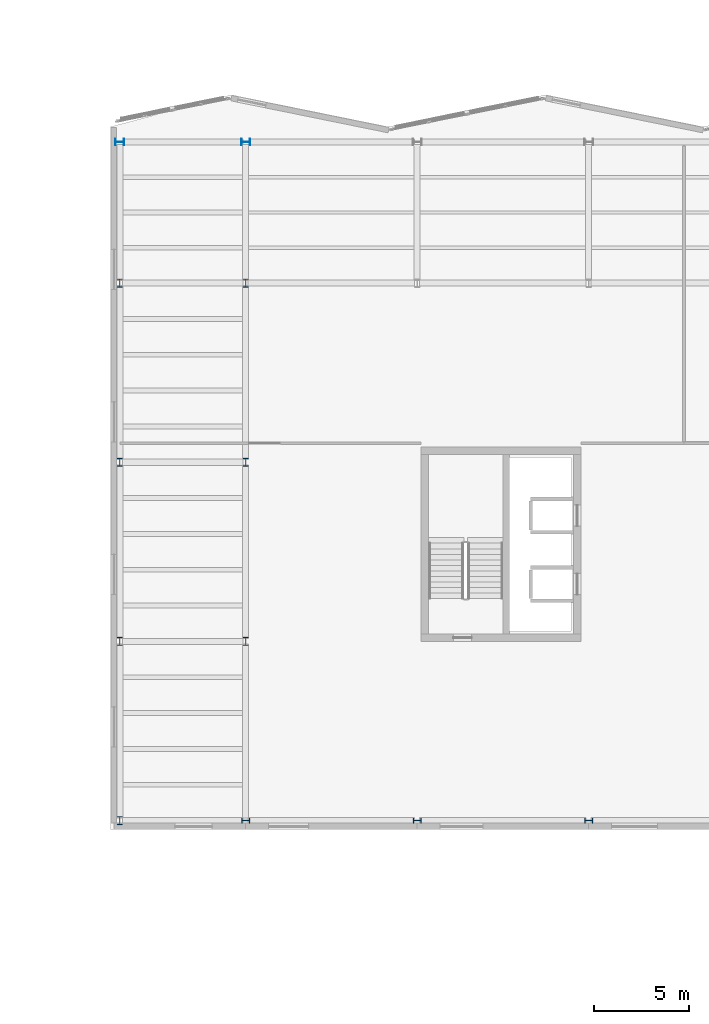
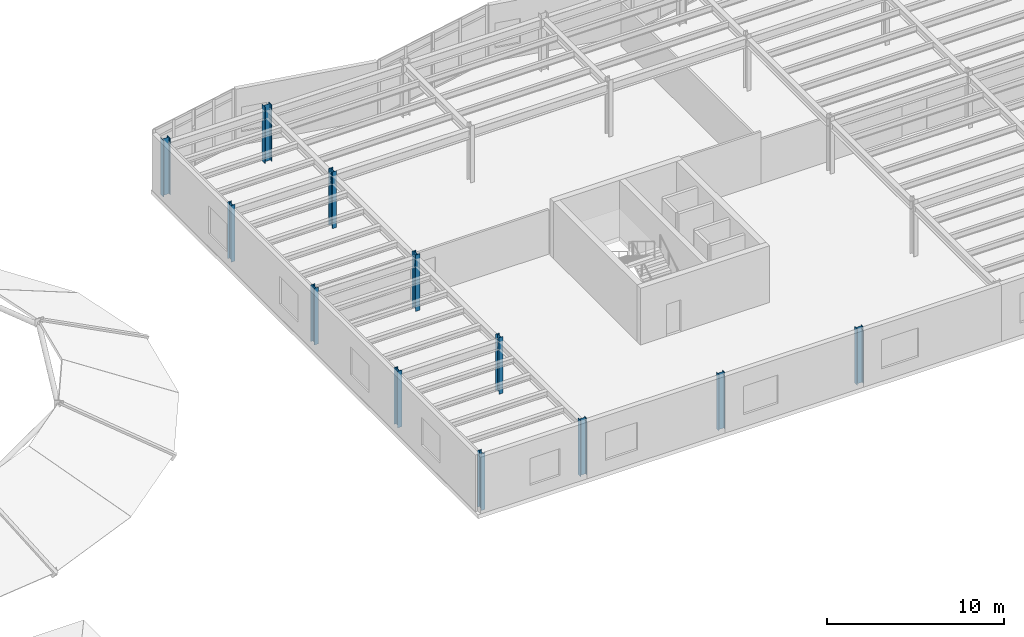
# One storey, part 4 of 46: 12 columns.
"""IFC4 building model written with IfcOpenShell, lengths in metres."""

from ifc_helpers import new_model, si_unit, direction, frame, origin, origin_2d, place, context, subcontext, project, spatial, i_section, extrude, material, material_profile, profile_set, type_object, element, save


model = new_model("IFC4")

# Units and contexts
model_context = context("Model", 3, precision=1e-05, world=origin(), true_north=direction((0.0, 1.0)))
body_context = subcontext(model_context, "Body", "Model", "MODEL_VIEW")
ifc_project = project(units=[si_unit("LENGTHUNIT", "METRE"), si_unit("AREAUNIT", "SQUARE_METRE"), si_unit("VOLUMEUNIT", "CUBIC_METRE"), si_unit("PLANEANGLEUNIT", "RADIAN"), si_unit("MASSUNIT", "GRAM", prefix="KILO")], contexts=[model_context])

# Site, building, storey
site_placement = place(None, origin())
site = spatial("IfcSite", under=ifc_project, at=site_placement, CompositionType="ELEMENT")
building_placement = place(site_placement, origin())
building = spatial("IfcBuilding", under=site, at=building_placement, Name="Sollismere Congress Hotel", CompositionType="ELEMENT")
storey_placement = place(building_placement, frame((0.0, 0.0, 19.5)))
storey = spatial("IfcBuildingStorey", under=building, at=storey_placement, Name="L04", CompositionType="ELEMENT", Elevation=19.5)

# Columns
ifc_material = material(Name="Steel ASTM A992 Grade 50", Category="steel")
ifc_material_profile_1 = material_profile(ifc_material, i_section(OverallWidth=0.330078125, OverallDepth=0.4599609375, WebThickness=0.016357421875, FlangeThickness=0.026123046875, at=origin_2d()), Name="W14X132")
ifc_profile_set_1 = profile_set([ifc_material_profile_1], Name="Steel ASTM A992 Grade 50")
column_type_1 = type_object("IfcColumnType", Name="COL-W14H", PredefinedType="COLUMN", material=ifc_profile_set_1)
for number, where, z_axis, x_axis, name in (
    (1, (60.39990234375, 102.39990234375, 0.0), (0.0, 0.0, 1.0), (0.0, 1.0, 0.0), "Column CL-L04-1086"),
    (2, (67.0, 102.39990234375, 0.0), (0.0, 0.0, 1.0), (0.0, 1.0, 0.0), "Column CL-L04-1092"),
):
    element("IfcColumn", number, at=place(storey_placement, frame(where, z_axis=z_axis, x_axis=x_axis)), inside=storey, type_object=column_type_1, Name=name, PredefinedType="COLUMN", context=body_context, shape_type="SweptSolid", body=[
        extrude(i_section(OverallWidth=0.330078125, OverallDepth=0.4599609375, WebThickness=0.016357421875, FlangeThickness=0.026123046875, at=origin_2d()), origin(), (0.0, 0.0, 1.0), 3.89990234375),
    ])
ifc_material_profile_2 = material_profile(ifc_material, i_section(OverallWidth=0.261962890625, OverallDepth=0.4189453125, WebThickness=0.01171875, FlangeThickness=0.019287109375, at=origin_2d()), Name="W16X77")
ifc_profile_set_2 = profile_set([ifc_material_profile_2], Name="Steel ASTM A992 Grade 50")
column_type_2 = type_object("IfcColumnType", Name="COL-W16", PredefinedType="COLUMN", material=ifc_profile_set_2)
for number, where, z_axis, x_axis, name in (
    (3, (67.0, 66.800048828125, 0.0), (0.0, 0.0, 1.0), (0.0, 1.0, 0.0), "Column CL-L04-319"),
    (4, (67.0, 76.199951171875, 0.0), (0.0, 0.0, 1.0), (1.0, 0.0, 0.0), "Column CL-L04-325"),
    (5, (67.0, 85.60009765625, 0.0), (0.0, 0.0, 1.0), (1.0, 0.0, 0.0), "Column CL-L04-331"),
    (6, (67.0, 95.0, 0.0), (0.0, 0.0, 1.0), (1.0, 0.0, 0.0), "Column CL-L04-337"),
    (7, (76.0, 66.800048828125, 0.0), (0.0, 0.0, 1.0), (0.0, 1.0, 0.0), "Column CL-L04-383"),
    (8, (85.0, 66.800048828125, 0.0), (0.0, 0.0, 1.0), (0.0, 1.0, 0.0), "Column CL-L04-442"),
    (9, (60.39990234375, 66.800048828125, 0.0), (0.0, 0.0, 1.0), (1.0, 0.0, 0.0), "Column CL-L04-1062"),
    (10, (60.39990234375, 76.199951171875, 0.0), (0.0, 0.0, 1.0), (1.0, 0.0, 0.0), "Column CL-L04-1068"),
    (11, (60.39990234375, 85.60009765625, 0.0), (0.0, 0.0, 1.0), (1.0, 0.0, 0.0), "Column CL-L04-1074"),
    (12, (60.39990234375, 95.0, 0.0), (0.0, 0.0, 1.0), (1.0, 0.0, 0.0), "Column CL-L04-1080"),
):
    element("IfcColumn", number, at=place(storey_placement, frame(where, z_axis=z_axis, x_axis=x_axis)), inside=storey, type_object=column_type_2, Name=name, PredefinedType="COLUMN", context=body_context, shape_type="SweptSolid", body=[
        extrude(i_section(OverallWidth=0.261962890625, OverallDepth=0.4189453125, WebThickness=0.01171875, FlangeThickness=0.019287109375, at=origin_2d()), origin(), (0.0, 0.0, 1.0), 3.89990234375),
    ])

save(model, "model.ifc")
